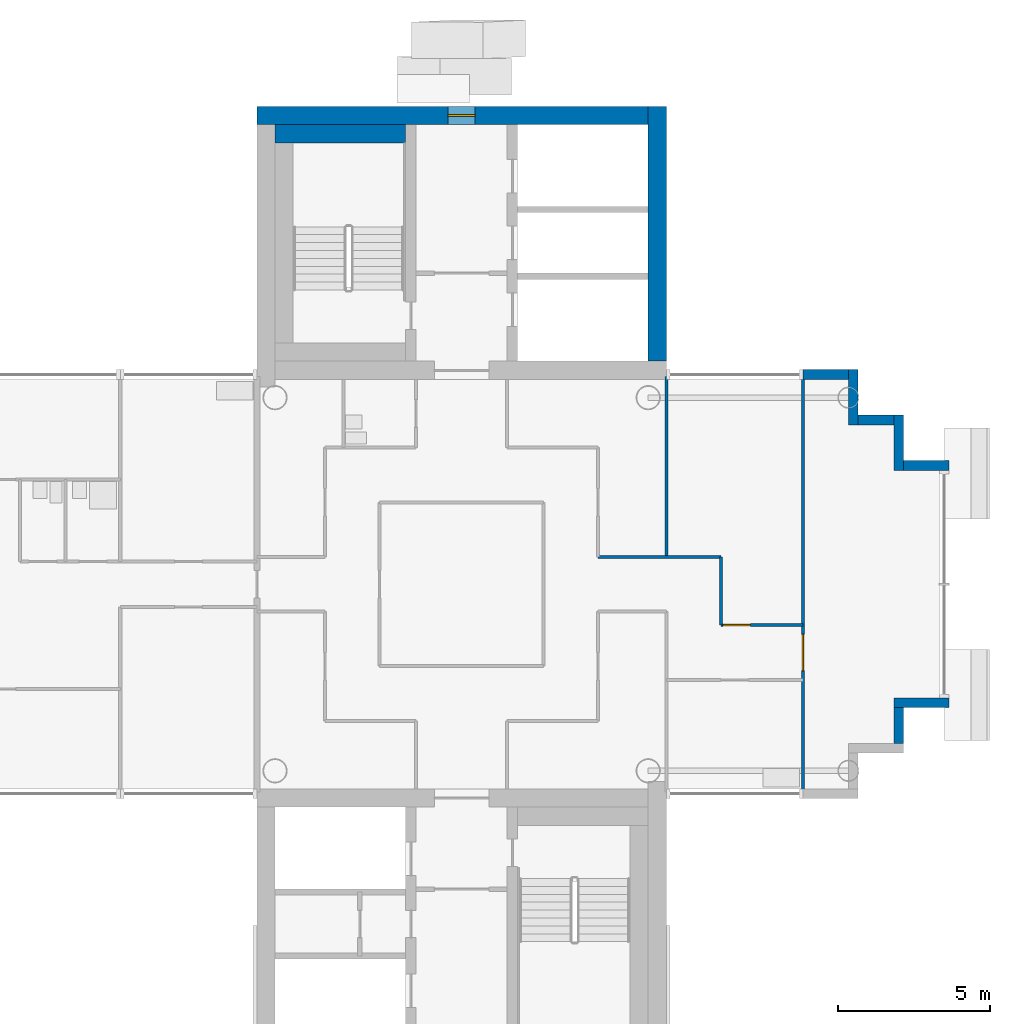
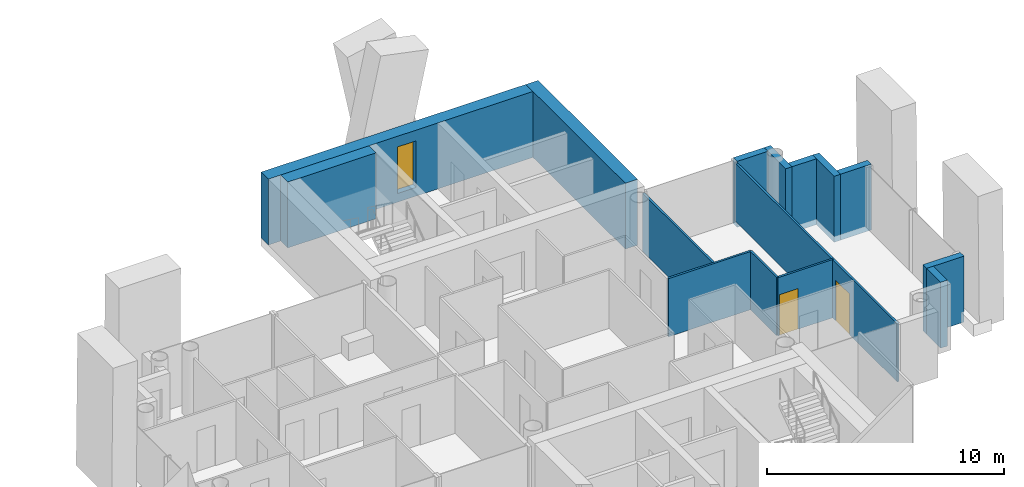
# One storey, part 11 of 18: 15 walls, 2 doors, 1 window, 3 openings.
"""IFC4 building model written with IfcOpenShell, lengths in metres."""

import ifcopenshell
import ifcopenshell.guid

model = None  # the IFC model being written
_history = None  # IfcOwnerHistory: only IFC2X3 demands one
_inside = {}  # id of a spatial element -> (the spatial element, [elements in it])
_under = {}  # id of a project, library or spatial element -> (it, [spatial elements below it])
_declared = {}  # id of a project -> (the project, [libraries it declares])
_typed = {}  # id of a type object -> (the type object, [elements of that type])
_made_of = {}  # id of a material, layer set ... -> (it, [elements and type objects made of it])


def new_model(schema):
    """Start an empty IFC model of exactly this schema.

    Asked for "IFC4X3", IfcOpenShell would pick the latest addendum, in which some entities
    have other attributes; the version numbers below select the first issue.
    IFC2X3 requires an IfcOwnerHistory on every rooted entity: one is made here for all.
    """
    global model, _history
    if schema == "IFC4X3":
        model = ifcopenshell.file(schema_version=(4, 3, 0, 0))
    else:
        model = ifcopenshell.file(schema=schema)
    _inside.clear()
    _under.clear()
    _declared.clear()
    _typed.clear()
    _made_of.clear()
    _history = None
    if model.schema == "IFC2X3":
        org = make("IfcOrganization", Name="unknown")
        user = make(
            "IfcPersonAndOrganization",
            ThePerson=make("IfcPerson", FamilyName="unknown"),
            TheOrganization=org,
        )
        app = make(
            "IfcApplication",
            ApplicationDeveloper=org,
            Version="unknown",
            ApplicationFullName="unknown",
            ApplicationIdentifier="unknown",
        )
        _history = make(
            "IfcOwnerHistory",
            OwningUser=user,
            OwningApplication=app,
            ChangeAction="ADDED",
            CreationDate=0,
        )
    return model


def make(cls, **values):
    """One entity of the class cls with the attributes given. An attribute that is None is left unset."""
    return model.create_entity(
        cls, **{name: value for name, value in values.items() if value is not None}
    )


def rooted(cls, **values):
    """An entity with a GlobalId (a new one), such as an element, a storey or a relation."""
    return make(cls, GlobalId=ifcopenshell.guid.new(), OwnerHistory=_history, **values)


def si_unit(unit_type, name, prefix=None):
    """IfcSIUnit, for example si_unit("LENGTHUNIT", "METRE", prefix="MILLI")."""
    return make("IfcSIUnit", UnitType=unit_type, Prefix=prefix, Name=name)


def assignment(units):
    """IfcUnitAssignment: the units of a project."""
    return None if units is None else make("IfcUnitAssignment", Units=units)


def point(xyz):
    """IfcCartesianPoint."""
    return None if xyz is None else make("IfcCartesianPoint", Coordinates=xyz)


def direction(xyz):
    """IfcDirection."""
    return None if xyz is None else make("IfcDirection", DirectionRatios=xyz)


def frame(location, z_axis=None, x_axis=None):
    """IfcAxis2Placement3D, a coordinate frame: its origin and axes. An axis left out is left unset."""
    return make(
        "IfcAxis2Placement3D",
        Location=point(location),
        Axis=direction(z_axis),
        RefDirection=direction(x_axis),
    )


def frame_2d(location, x_axis=None):
    """IfcAxis2Placement2D, a coordinate frame in the plane: its origin and x axis."""
    return make(
        "IfcAxis2Placement2D", Location=point(location), RefDirection=direction(x_axis)
    )


def origin():
    """The frame at (0, 0, 0) with its axes left unset."""
    return frame((0.0, 0.0, 0.0))


def place(relative_to, where):
    """IfcLocalPlacement: puts the frame where relative to a parent placement (None: the world)."""
    return make(
        "IfcLocalPlacement", PlacementRelTo=relative_to, RelativePlacement=where
    )


def context(
    kind, dimensions, precision=None, world=None, true_north=None, identifier=None
):
    """IfcGeometricRepresentationContext, for example the 3D "Model" context."""
    return make(
        "IfcGeometricRepresentationContext",
        ContextIdentifier=identifier,
        ContextType=kind,
        CoordinateSpaceDimension=dimensions,
        Precision=precision,
        WorldCoordinateSystem=world,
        TrueNorth=true_north,
    )


def subcontext(parent, identifier, kind, view, scale=None):
    """IfcGeometricRepresentationSubContext, for example "Body" below "Model"."""
    return make(
        "IfcGeometricRepresentationSubContext",
        ContextIdentifier=identifier,
        ContextType=kind,
        ParentContext=parent,
        TargetScale=scale,
        TargetView=view,
    )


def project(units=None, contexts=None):
    """IfcProject with its units and contexts."""
    return rooted(
        "IfcProject",
        Name="project",
        RepresentationContexts=contexts,
        UnitsInContext=assignment(units),
    )


def spatial(cls, under=None, at=None, **own):
    """A site, building, storey or space (cls), placed at a placement, below another one or the project."""
    s = rooted(cls, ObjectPlacement=at, **own)
    if under is not None:
        _under.setdefault(under.id(), (under, []))[1].append(s)
    return s


def profile(cls, at=None, kind="AREA", **sizes):
    """A parametric profile (cls). Its sizes go by their IFC names, for example OverallWidth=200.0."""
    return make(cls, ProfileType=kind, Position=at, **sizes)


def rectangle(**sizes):
    """IfcRectangleProfileDef."""
    return profile("IfcRectangleProfileDef", **sizes)


def extrude(swept, where, along, depth):
    """IfcExtrudedAreaSolid: the profile swept, set in the frame where, extruded along a direction by depth."""
    return make(
        "IfcExtrudedAreaSolid",
        SweptArea=swept,
        Position=where,
        ExtrudedDirection=direction(along),
        Depth=depth,
    )


def shape(context_of_items, identifier, shape_type, items):
    """IfcShapeRepresentation: the items that make up one representation, for example the "Body"."""
    return make(
        "IfcShapeRepresentation",
        ContextOfItems=context_of_items,
        RepresentationIdentifier=identifier,
        RepresentationType=shape_type,
        Items=items,
    )


def material(Name=None, Category=None):
    """IfcMaterial."""
    return make("IfcMaterial", Name=Name, Category=Category)


def layer(
    of_material, thickness, ventilated=None, Name=None, Category=None, Priority=None
):
    """IfcMaterialLayer: one layer of a wall or slab, of a material (None: an air gap)."""
    return make(
        "IfcMaterialLayer",
        Material=of_material,
        LayerThickness=thickness,
        IsVentilated=ventilated,
        Name=Name,
        Category=Category,
        Priority=Priority,
    )


def layer_set(layers, Name=None):
    """IfcMaterialLayerSet."""
    return make("IfcMaterialLayerSet", MaterialLayers=layers, LayerSetName=Name)


def made_of(thing, what):
    """Note that an element or type object is made of a material, layer set ...; save() writes the relation."""
    if what is not None:
        _made_of.setdefault(what.id(), (what, []))[1].append(thing)
    return thing


def type_object(cls, material=None, **own):
    """A type object (cls), such as IfcWallType, which elements share."""
    return made_of(rooted(cls, **own), material)


def element(
    cls,
    number,
    at=None,
    inside=None,
    cuts=None,
    type_object=None,
    material=None,
    context=None,
    identifier="Body",
    shape_type=None,
    held_by="IfcProductDefinitionShape",
    body=None,
    shapes=None,
    **own,
):
    """One element of the class cls, such as IfcWall. Its Tag is "e" and its number.

    at: its placement. inside: the storey or other place that contains it. cuts: it is an
    opening in that element (IfcRelVoidsElement). A single representation is given by context,
    identifier, shape_type and body (its items); several are given by shapes. held_by: the class
    of the entity that holds the representations. save() writes the other relations.
    """
    e = rooted(cls, Tag="e%d" % number, ObjectPlacement=at, **own)
    if body is not None:
        shapes = [shape(context, identifier, shape_type, body)]
    if shapes is not None:
        e.Representation = make(held_by, Representations=shapes)
    if inside is not None:
        _inside.setdefault(inside.id(), (inside, []))[1].append(e)
    if cuts is not None:
        rooted(
            "IfcRelVoidsElement", RelatingBuildingElement=cuts, RelatedOpeningElement=e
        )
    if type_object is not None:
        _typed.setdefault(type_object.id(), (type_object, []))[1].append(e)
    return made_of(e, material)


def fill(opening, filler):
    """IfcRelFillsElement: the door or window that sits in an opening."""
    return rooted(
        "IfcRelFillsElement",
        RelatingOpeningElement=opening,
        RelatedBuildingElement=filler,
    )


def aggregate(whole, parts):
    """IfcRelAggregates: a whole, such as a stair, and the parts it consists of."""
    return rooted("IfcRelAggregates", RelatingObject=whole, RelatedObjects=parts)


def save(model, path):
    """Write the relations noted so far, then the file.

    IfcRelAggregates (storeys below a building ...), IfcRelContainedInSpatialStructure (elements
    in a storey), IfcRelDefinesByType, IfcRelAssociatesMaterial and IfcRelDeclares: one each for
    every whole, place, type object, material and project.
    """
    for whole, parts in _under.values():
        aggregate(whole, parts)
    for where, things in _inside.values():
        rooted(
            "IfcRelContainedInSpatialStructure",
            RelatedElements=things,
            RelatingStructure=where,
        )
    for kind, things in _typed.values():
        rooted("IfcRelDefinesByType", RelatedObjects=things, RelatingType=kind)
    for what, things in _made_of.values():
        rooted("IfcRelAssociatesMaterial", RelatedObjects=things, RelatingMaterial=what)
    for by, libraries in _declared.values():
        rooted("IfcRelDeclares", RelatingContext=by, RelatedDefinitions=libraries)
    model.write(path)


model = new_model("IFC4")

# Units and contexts
model_context = context("Model", 3, precision=1e-05, world=origin(), true_north=direction((0.0, 1.0)))
body_context = subcontext(model_context, "Body", "Model", "MODEL_VIEW")
ifc_project = project(units=[si_unit("LENGTHUNIT", "METRE"), si_unit("AREAUNIT", "SQUARE_METRE"), si_unit("VOLUMEUNIT", "CUBIC_METRE"), si_unit("PLANEANGLEUNIT", "RADIAN"), si_unit("MASSUNIT", "GRAM", prefix="KILO")], contexts=[model_context])

# Site, building, storey
site_placement = place(None, origin())
site = spatial("IfcSite", under=ifc_project, at=site_placement, CompositionType="ELEMENT")
building_placement = place(site_placement, origin())
building = spatial("IfcBuilding", under=site, at=building_placement, Name="Ipe Terrace Towers", CompositionType="ELEMENT")
storey_placement = place(building_placement, frame((0.0, 0.0, 202.800048828125)))
storey = spatial("IfcBuildingStorey", under=building, at=storey_placement, Name="L56", CompositionType="ELEMENT", Elevation=202.800048828125)

# Walls
ifc_material_1 = material(Name="Concrete C40/50 with buff precast cladding", Category="concrete")
ifc_layer_1 = layer(ifc_material_1, 0.320068359375)
ifc_layer_set_1 = layer_set([ifc_layer_1], Name="BUFF CLADDING WALL 320")
wall_type_1 = type_object("IfcWallType", Name="BUFF CLADDING WALL 320", PredefinedType="STANDARD", material=ifc_layer_set_1)
wall_1_placement = place(storey_placement, frame((50.409912109375, -5.25, -0.300048828125), z_axis=(0.0, 0.0, 1.0), x_axis=(0.0, 1.0, 0.0)))
element("IfcWall", 1, at=wall_1_placement, inside=storey, type_object=wall_type_1, Name="T2-W-L56-06a wall", PredefinedType="STANDARD", context=body_context, shape_type="SweptSolid", body=[
    extrude(rectangle(XDim=1.179931640625, YDim=0.320068359375, at=frame_2d((0.58984375, 0.0))), origin(), (0.0, 0.0, 1.0), 3.39990234375),
])
wall_2_placement = place(storey_placement, frame((50.25, -3.909912109375, -0.300048828125), z_axis=(0.0, 0.0, 1.0), x_axis=(1.0, 0.0, 0.0)))
element("IfcWall", 2, at=wall_2_placement, inside=storey, type_object=wall_type_1, Name="T2-W-L56-07a wall", PredefinedType="STANDARD", context=body_context, shape_type="SweptSolid", body=[
    extrude(rectangle(XDim=1.820068359375, YDim=0.320068359375, at=frame_2d((0.91015625, 0.0))), origin(), (0.0, 0.0, 1.0), 3.39990234375),
])
wall_3_placement = place(storey_placement, frame((52.070068359375, 3.909912109375, -0.300048828125), z_axis=(0.0, 0.0, 1.0), x_axis=(-1.0, 0.0, 0.0)))
element("IfcWall", 3, at=wall_3_placement, inside=storey, type_object=wall_type_1, Name="T2-W-L56-09a wall", PredefinedType="STANDARD", context=body_context, shape_type="SweptSolid", body=[
    extrude(rectangle(XDim=1.5, YDim=0.320068359375, at=frame_2d((0.75, 0.0))), origin(), (0.0, 0.0, 1.0), 3.39990234375),
])
wall_4_placement = place(storey_placement, frame((50.409912109375, 3.75, -0.300048828125), z_axis=(0.0, 0.0, 1.0), x_axis=(0.0, 1.0, 0.0)))
element("IfcWall", 4, at=wall_4_placement, inside=storey, type_object=wall_type_1, Name="T2-W-L56-10a wall", PredefinedType="STANDARD", context=body_context, shape_type="SweptSolid", body=[
    extrude(rectangle(XDim=1.820068359375, YDim=0.320068359375, at=frame_2d((0.91015625, 0.0))), origin(), (0.0, 0.0, 1.0), 3.39990234375),
])
wall_5_placement = place(storey_placement, frame((50.25, 5.409912109375, -0.300048828125), z_axis=(0.0, 0.0, 1.0), x_axis=(-1.0, 0.0, 0.0)))
element("IfcWall", 5, at=wall_5_placement, inside=storey, type_object=wall_type_1, Name="T2-W-L56-11a wall", PredefinedType="STANDARD", context=body_context, shape_type="SweptSolid", body=[
    extrude(rectangle(XDim=1.179931640625, YDim=0.320068359375, at=frame_2d((0.58984375, 0.0))), origin(), (0.0, 0.0, 1.0), 3.39990234375),
])
wall_6_placement = place(storey_placement, frame((48.909912109375, 5.25, -0.300048828125), z_axis=(0.0, 0.0, 1.0), x_axis=(0.0, 1.0, 0.0)))
element("IfcWall", 6, at=wall_6_placement, inside=storey, type_object=wall_type_1, Name="T2-W-L56-12a wall", PredefinedType="STANDARD", context=body_context, shape_type="SweptSolid", body=[
    extrude(rectangle(XDim=1.820068359375, YDim=0.320068359375, at=frame_2d((0.91015625, 0.0))), origin(), (0.0, 0.0, 1.0), 3.39990234375),
])
wall_7_placement = place(storey_placement, frame((48.75, 6.909912109375, -0.300048828125), z_axis=(0.0, 0.0, 1.0), x_axis=(-1.0, 0.0, 0.0)))
element("IfcWall", 7, at=wall_7_placement, inside=storey, type_object=wall_type_1, Name="T2-W-L56-13a wall", PredefinedType="STANDARD", context=body_context, shape_type="SweptSolid", body=[
    extrude(rectangle(XDim=1.5, YDim=0.320068359375, at=frame_2d((0.75, 0.0))), origin(), (0.0, 0.0, 1.0), 3.39990234375),
])

# Wall, opening, door
ifc_material_2 = material(Name="Gypsum board partition", Category="plasterboard")
ifc_layer_2 = layer(ifc_material_2, 0.10009765625)
ifc_layer_set_2 = layer_set([ifc_layer_2], Name="Gypsum board partition 100 mm")
wall_type_2 = type_object("IfcWallType", Name="Gypsum board partition 100 mm", PredefinedType="PARTITIONING", material=ifc_layer_set_2)
wall_8_placement = place(storey_placement, frame((47.25, -1.35009765625, 0.0), z_axis=(0.0, 0.0, 1.0), x_axis=(-1.0, 0.0, 0.0)))
wall_8 = element("IfcWall", 8, at=wall_8_placement, inside=storey, type_object=wall_type_2, Name="Gypsum board partition T2 L56 W07", PredefinedType="PARTITIONING", context=body_context, shape_type="SweptSolid", body=[
    extrude(rectangle(XDim=2.699951171875, YDim=0.10009765625, at=frame_2d((1.35009765625, 0.0))), origin(), (0.0, 0.0, 1.0), 3.0),
])
opening_1_placement = place(wall_8_placement, frame((1.72998046875, 0.0, 0.0)))
opening_1 = element("IfcOpeningElement", 9, at=opening_1_placement, cuts=wall_8, Name="Opening T2-Z4D-17", PredefinedType="OPENING", context=body_context, shape_type="SweptSolid", body=[
    extrude(rectangle(XDim=0.89990234375, YDim=2.10009765625, at=frame_2d((0.449951171875, 1.050048828125))), frame((0.0, 0.06005859375, 0.0), z_axis=(0.0, -1.0, 0.0), x_axis=(1.0, 0.0, 0.0)), (0.0, 0.0, 1.0), 0.1201171875),
])
ifc_material_3 = material(Name="Timber door leaf", Category="wood")
door_type_1 = type_object("IfcDoorType", Name="Lounge door 900 x 2100", OperationType="NOTDEFINED", PredefinedType="DOOR", material=ifc_material_3)
door_1_placement = place(opening_1_placement, origin())
door_1 = element("IfcDoor", 10, at=door_1_placement, inside=storey, type_object=door_type_1, Name="Lounge door T2-Z4D-17", OperationType="SINGLE_SWING_RIGHT", OverallHeight=2.10009765625, OverallWidth=0.89990234375, PredefinedType="DOOR", context=body_context, shape_type="SweptSolid", body=[
    extrude(rectangle(XDim=0.89990234375, YDim=2.10009765625, at=frame_2d((0.449951171875, 1.050048828125))), frame((0.0, 0.02490234375, 0.0), z_axis=(0.0, -1.0, 0.0), x_axis=(1.0, 0.0, 0.0)), (0.0, 0.0, 1.0), 0.050048828125),
])
fill(opening_1, door_1)

# Wall
wall_9_placement = place(storey_placement, frame((44.550048828125, 0.89990234375, 0.0), z_axis=(0.0, 0.0, 1.0), x_axis=(-1.0, 0.0, 0.0)))
element("IfcWall", 11, at=wall_9_placement, inside=storey, type_object=wall_type_2, Name="Gypsum board partition T2 L56 W12", PredefinedType="PARTITIONING", context=body_context, shape_type="SweptSolid", body=[
    extrude(rectangle(XDim=4.050048828125, YDim=0.10009765625, at=frame_2d((2.02490234375, 0.0))), origin(), (0.0, 0.0, 1.0), 3.0),
])

# Wall, opening, door
wall_10_placement = place(storey_placement, frame((47.25, -6.85009765625, 0.0), z_axis=(0.0, 0.0, 1.0), x_axis=(0.0, 1.0, 0.0)))
wall_10 = element("IfcWall", 12, at=wall_10_placement, inside=storey, type_object=wall_type_2, Name="Gypsum board partition T2 L56 W19", PredefinedType="PARTITIONING", context=body_context, shape_type="SweptSolid", body=[
    extrude(rectangle(XDim=13.7001953125, YDim=0.10009765625, at=frame_2d((6.85009765625, 0.0))), origin(), (0.0, 0.0, 1.0), 3.0),
])
opening_2_placement = place(wall_10_placement, frame((4.0, 0.0, 0.0)))
opening_2 = element("IfcOpeningElement", 13, at=opening_2_placement, cuts=wall_10, Name="Opening T2-Z4D-19", PredefinedType="OPENING", context=body_context, shape_type="SweptSolid", body=[
    extrude(rectangle(XDim=1.199951171875, YDim=2.10009765625, at=frame_2d((0.60009765625, 1.050048828125))), frame((0.0, 0.06005859375, 0.0), z_axis=(0.0, -1.0, 0.0), x_axis=(1.0, 0.0, 0.0)), (0.0, 0.0, 1.0), 0.1201171875),
])
ifc_material_4 = material(Name="Timber door leaf", Category="wood")
door_type_2 = type_object("IfcDoorType", Name="Lounge door 1200 x 2100", OperationType="NOTDEFINED", PredefinedType="DOOR", material=ifc_material_4)
door_2_placement = place(opening_2_placement, origin())
door_2 = element("IfcDoor", 14, at=door_2_placement, inside=storey, type_object=door_type_2, Name="Lounge door T2-Z4D-19", OperationType="SINGLE_SWING_LEFT", OverallHeight=2.10009765625, OverallWidth=1.199951171875, PredefinedType="DOOR", context=body_context, shape_type="SweptSolid", body=[
    extrude(rectangle(XDim=1.199951171875, YDim=2.10009765625, at=frame_2d((0.60009765625, 1.050048828125))), frame((0.0, 0.02490234375, 0.0), z_axis=(0.0, -1.0, 0.0), x_axis=(1.0, 0.0, 0.0)), (0.0, 0.0, 1.0), 0.050048828125),
])
fill(opening_2, door_2)

# Walls
wall_11_placement = place(storey_placement, frame((44.550048828125, -1.35009765625, 0.0), z_axis=(0.0, 0.0, 1.0), x_axis=(0.0, 1.0, 0.0)))
element("IfcWall", 15, at=wall_11_placement, inside=storey, type_object=wall_type_2, Name="Gypsum board partition T2 L56 W20", PredefinedType="PARTITIONING", context=body_context, shape_type="SweptSolid", body=[
    extrude(rectangle(XDim=2.25, YDim=0.10009765625, at=frame_2d((1.125, 0.0))), origin(), (0.0, 0.0, 1.0), 3.0),
])
wall_12_placement = place(storey_placement, frame((42.75, 0.89990234375, 0.0), z_axis=(0.0, 0.0, 1.0), x_axis=(0.0, 1.0, 0.0)))
element("IfcWall", 16, at=wall_12_placement, inside=storey, type_object=wall_type_2, Name="Gypsum board partition T2 L56 W22", PredefinedType="PARTITIONING", context=body_context, shape_type="SweptSolid", body=[
    extrude(rectangle(XDim=5.9501953125, YDim=0.10009765625, at=frame_2d((2.97509765625, 0.0))), origin(), (0.0, 0.0, 1.0), 3.0),
])
ifc_material_5 = material(Name="Concrete C40/50", Category="concrete")
ifc_layer_3 = layer(ifc_material_5, 0.60009765625)
ifc_layer_set_3 = layer_set([ifc_layer_3], Name="RW600 CORE INFILL WALL 600 C40-50")
wall_type_3 = type_object("IfcWallType", Name="RW600 CORE INFILL WALL 600 C40-50", PredefinedType="SHEAR", material=ifc_layer_set_3)
wall_13_placement = place(storey_placement, frame((34.14990234375, 14.85009765625, 0.0), z_axis=(0.0, 0.0, 1.0), x_axis=(-1.0, 0.0, 0.0)))
element("IfcWall", 17, at=wall_13_placement, inside=storey, type_object=wall_type_3, Name="Core infill wall T2-C1-far", PredefinedType="SHEAR", context=body_context, shape_type="SweptSolid", body=[
    extrude(rectangle(XDim=4.2998046875, YDim=0.60009765625, at=frame_2d((2.14990234375, 0.0))), origin(), (0.0, 0.0, 1.0), 3.39990234375),
])
ifc_material_6 = material(Name="Concrete C40/50", Category="concrete")
ifc_layer_4 = layer(ifc_material_6, 0.60009765625)
ifc_layer_set_4 = layer_set([ifc_layer_4], Name="RW600 CORE WALL 600 C40-50")
wall_type_4 = type_object("IfcWallType", Name="RW600 CORE WALL 600 C40-50", PredefinedType="SHEAR", material=ifc_layer_set_4)
wall_14_placement = place(storey_placement, frame((42.449951171875, 7.35009765625, 0.0), z_axis=(0.0, 0.0, 1.0), x_axis=(0.0, 1.0, 0.0)))
element("IfcWall", 18, at=wall_14_placement, inside=storey, type_object=wall_type_4, Name="Core wall T2-C1-Z4-W02", PredefinedType="SHEAR", context=body_context, shape_type="SweptSolid", body=[
    extrude(rectangle(XDim=8.39990234375, YDim=0.60009765625, at=frame_2d((4.199951171875, 0.0))), origin(), (0.0, 0.0, 1.0), 3.39990234375),
])

# Wall, opening, window
wall_15_placement = place(storey_placement, frame((42.14990234375, 15.449951171875, 0.0), z_axis=(0.0, 0.0, 1.0), x_axis=(-1.0, 0.0, 0.0)))
wall_15 = element("IfcWall", 19, at=wall_15_placement, inside=storey, type_object=wall_type_4, Name="Core wall T2-C1-Z4-W03", PredefinedType="SHEAR", context=body_context, shape_type="SweptSolid", body=[
    extrude(rectangle(XDim=12.89990234375, YDim=0.60009765625, at=frame_2d((6.449951171875, 0.0))), origin(), (0.0, 0.0, 1.0), 3.39990234375),
])
opening_3_placement = place(wall_15_placement, frame((5.699951171875, 0.0, 0.449951171875)))
opening_3 = element("IfcOpeningElement", 20, at=opening_3_placement, cuts=wall_15, Name="Opening T2-C1-W-01-L56", PredefinedType="OPENING", context=body_context, shape_type="SweptSolid", body=[
    extrude(rectangle(XDim=0.89990234375, YDim=2.39990234375, at=frame_2d((0.449951171875, 1.199951171875))), frame((0.0, 0.31005859375, 0.0), z_axis=(0.0, -1.0, 0.0), x_axis=(1.0, 0.0, 0.0)), (0.0, 0.0, 1.0), 0.6201171875),
])
ifc_material_7 = material(Name="Fire-resistant glazing EI 60", Category="glass")
window_type = type_object("IfcWindowType", Name="CORRIDOR END SLOT WINDOW 900 x 2400 EI 60", PartitioningType="SINGLE_PANEL", PredefinedType="WINDOW", material=ifc_material_7)
window_placement = place(opening_3_placement, origin())
window = element("IfcWindow", 21, at=window_placement, inside=storey, type_object=window_type, Name="W-01 window", OverallHeight=2.39990234375, OverallWidth=0.89990234375, PartitioningType="SINGLE_PANEL", PredefinedType="WINDOW", context=body_context, shape_type="SweptSolid", body=[
    extrude(rectangle(XDim=0.89990234375, YDim=2.39990234375, at=frame_2d((0.449951171875, 1.199951171875))), frame((0.0, 0.030029296875, 0.0), z_axis=(0.0, -1.0, 0.0), x_axis=(1.0, 0.0, 0.0)), (0.0, 0.0, 1.0), 0.06005859375),
])
fill(opening_3, window)

save(model, "model.ifc")
